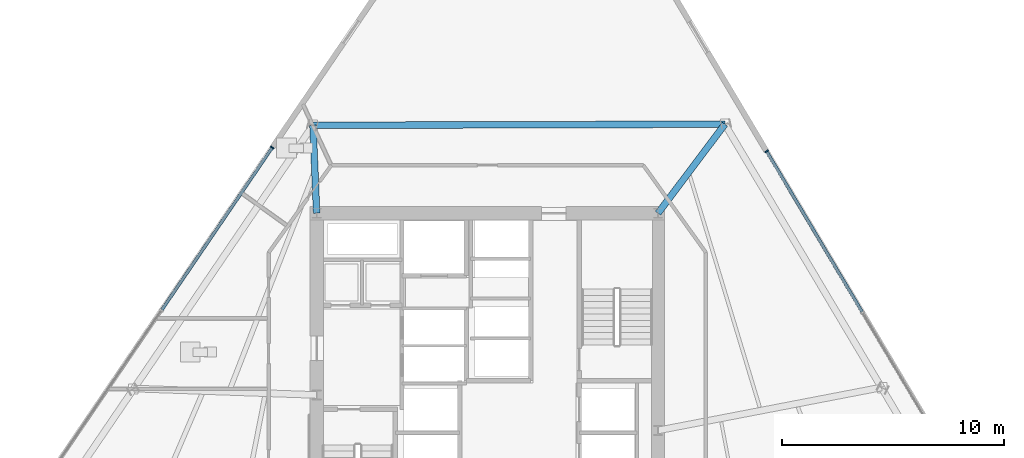
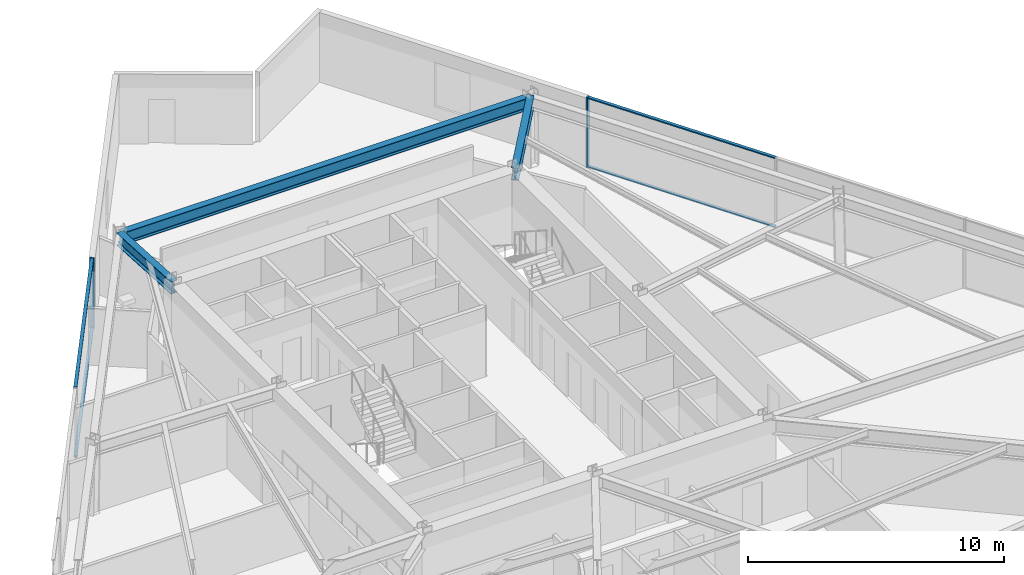
# One storey, part 7 of 18: 6 members, 3 beams, 2 elements without a shape of their own.
"""IFC4 building model written with IfcOpenShell, lengths in metres."""

from ifc_helpers import new_model, si_unit, direction, frame, origin, origin_2d, place, context, subcontext, project, spatial, rectangle, i_section, extrude, material, material_profile, profile_set, type_object, element, aggregate, save


model = new_model("IFC4")

# Units and contexts
model_context = context("Model", 3, precision=1e-05, world=origin(), true_north=direction((0.0, 1.0)))
body_context = subcontext(model_context, "Body", "Model", "MODEL_VIEW")
ifc_project = project(units=[si_unit("LENGTHUNIT", "METRE"), si_unit("AREAUNIT", "SQUARE_METRE"), si_unit("VOLUMEUNIT", "CUBIC_METRE"), si_unit("PLANEANGLEUNIT", "RADIAN"), si_unit("MASSUNIT", "GRAM", prefix="KILO")], contexts=[model_context])

# Site, building, storey
site_placement = place(None, origin())
site = spatial("IfcSite", under=ifc_project, at=site_placement, CompositionType="ELEMENT")
building_placement = place(site_placement, origin())
building = spatial("IfcBuilding", under=site, at=building_placement, Name="Savorim Split Tower", CompositionType="ELEMENT")
storey_placement = place(building_placement, frame((0.0, 0.0, 37.199951171875)))
storey = spatial("IfcBuildingStorey", under=building, at=storey_placement, Name="L09", CompositionType="ELEMENT", Elevation=37.199951171875)

# Beams
ifc_material_1 = material(Name="Steel S355", Category="steel")
ifc_material_profile_1 = material_profile(ifc_material_1, i_section(OverallWidth=0.300048828125, OverallDepth=0.60009765625, WebThickness=0.015380859375, FlangeThickness=0.030029296875, FilletRadius=0.027099609375, at=origin_2d()), Name="HEB 600")
ifc_profile_set_1 = profile_set([ifc_material_profile_1], Name="Steel S355")
beam_type_1 = type_object("IfcBeamType", Name="BM-PRI-HEB600", PredefinedType="BEAM", material=ifc_profile_set_1)
beam_1_placement = place(storey_placement, frame((10.716796875, 14.2138671875, 3.050048828125), z_axis=(-0.600816529324, -0.799386951414, 0.0), x_axis=(0.799386951414, -0.600816529324, 0.0)))
element("IfcBeam", 1, at=beam_1_placement, inside=storey, type_object=beam_type_1, Name="L09 Primary Floor Girder RG-07", PredefinedType="BEAM", context=body_context, shape_type="SweptSolid", body=[
    extrude(i_section(OverallWidth=0.300048828125, OverallDepth=0.60009765625, WebThickness=0.015380859375, FlangeThickness=0.030029296875, FilletRadius=0.027099609375, at=origin_2d()), origin(), (0.0, 0.0, 1.0), 5.021240234375),
])
beam_2_placement = place(storey_placement, frame((-7.8662109375, 14.1650390625, 3.050048828125), z_axis=(0.041894102617, -0.999122056691, 0.0), x_axis=(0.999122056691, 0.041894102617, 0.0)))
element("IfcBeam", 2, at=beam_2_placement, inside=storey, type_object=beam_type_1, Name="L09 Primary Floor Girder RG-08", PredefinedType="BEAM", context=body_context, shape_type="SweptSolid", body=[
    extrude(i_section(OverallWidth=0.300048828125, OverallDepth=0.60009765625, WebThickness=0.015380859375, FlangeThickness=0.030029296875, FilletRadius=0.027099609375, at=origin_2d()), origin(), (0.0, 0.0, 1.0), 3.968505859375),
])
ifc_material_profile_2 = material_profile(ifc_material_1, i_section(OverallWidth=0.300048828125, OverallDepth=0.590087890625, WebThickness=0.012939453125, FlangeThickness=0.02490234375, FilletRadius=0.027099609375, at=origin_2d()), Name="HEA 600")
ifc_profile_set_2 = profile_set([ifc_material_profile_2], Name="Steel S355")
beam_type_2 = type_object("IfcBeamType", Name="BM-SPN-HEA600", PredefinedType="SPANDREL", material=ifc_profile_set_2)
beam_3_placement = place(storey_placement, frame((10.716796875, 14.2138671875, 3.054931640625), z_axis=(-0.99999654796, -0.002627559378, 0.0), x_axis=(0.002627559378, -0.99999654796, 0.0)))
element("IfcBeam", 3, at=beam_3_placement, inside=storey, type_object=beam_type_2, Name="L09 Perimeter Spandrel Beam 7", PredefinedType="SPANDREL", context=body_context, shape_type="SweptSolid", body=[
    extrude(i_section(OverallWidth=0.300048828125, OverallDepth=0.590087890625, WebThickness=0.012939453125, FlangeThickness=0.02490234375, FilletRadius=0.027099609375, at=origin_2d()), origin(), (0.0, 0.0, 1.0), 18.5830078125),
])

# Curtain wall, member
ifc_material_2 = material(Name="Dark Ceramic-Fritted Insulated Glass", Category="glass")
curtain_wall_type = type_object("IfcCurtainWallType", Name="CW-TWR-FRIT-A", PredefinedType="NOTDEFINED", material=ifc_material_2)
curtain_wall_1_placement = place(storey_placement, origin())
curtain_wall_1 = element("IfcCurtainWall", 4, at=curtain_wall_1_placement, inside=storey, type_object=curtain_wall_type, Name="L09 Curtain Wall CW-L09-EAST", PredefinedType="NOTDEFINED")
ifc_material_3 = material(Name="Charcoal Anodised Aluminium", Category="aluminium")
ifc_material_profile_3 = material_profile(ifc_material_3, rectangle(XDim=0.179931640625, YDim=0.06494140625, at=origin_2d()), Name="ALU-M 180x65")
ifc_profile_set_3 = profile_set([ifc_material_profile_3], Name="Charcoal Anodised Aluminium")
member_type_1 = type_object("IfcMemberType", Name="CWM-180x65", PredefinedType="MULLION", material=ifc_profile_set_3)
member_1_placement = place(storey_placement, frame((12.599609375, 12.991455078125, 0.0), z_axis=(0.0, 0.0, 1.0), x_axis=(-0.859525752007, -0.511092439425, 0.0)))
member_1 = element("IfcMember", 5, at=member_1_placement, type_object=member_type_1, Name="CW-02 mullion 5", PredefinedType="MULLION", context=body_context, shape_type="SweptSolid", body=[
    extrude(rectangle(XDim=0.179931640625, YDim=0.06494140625, at=origin_2d()), origin(), (0.0, 0.0, 1.0), 3.35009765625),
])

curtain_wall_2_placement = place(storey_placement, origin())
curtain_wall_2 = element("IfcCurtainWall", 6, at=curtain_wall_2_placement, inside=storey, type_object=curtain_wall_type, Name="L09 Curtain Wall CW-L09-WEST", PredefinedType="NOTDEFINED")
member_2_placement = place(storey_placement, frame((-9.702392578125, 13.1640625, 0.0), z_axis=(0.0, 0.0, 1.0), x_axis=(0.826820923165, -0.562465253164, 0.0)))
member_2 = element("IfcMember", 7, at=member_2_placement, type_object=member_type_1, Name="CW-02 mullion 1", PredefinedType="MULLION", context=body_context, shape_type="SweptSolid", body=[
    extrude(rectangle(XDim=0.179931640625, YDim=0.06494140625, at=origin_2d()), origin(), (0.0, 0.0, 1.0), 3.35009765625),
])

# Member
ifc_material_profile_4 = material_profile(ifc_material_3, rectangle(XDim=0.139892578125, YDim=0.054931640625, at=origin_2d()), Name="ALU-T 140x55")
ifc_profile_set_4 = profile_set([ifc_material_profile_4], Name="Charcoal Anodised Aluminium")
member_type_2 = type_object("IfcMemberType", Name="CWT-140x55", PredefinedType="USERDEFINED", material=ifc_profile_set_4)
member_3_placement = place(storey_placement, frame((16.90673828125, 5.748046875, 0.027587890625), z_axis=(-0.511091652485, 0.859526219938, 0.0), x_axis=(-0.859526219938, -0.511091652485, 0.0)))
member_3 = element("IfcMember", 8, at=member_3_placement, type_object=member_type_2, Name="CW-02 transom 4.1", ObjectType="TRANSOM", PredefinedType="USERDEFINED", context=body_context, shape_type="SweptSolid", body=[
    extrude(rectangle(XDim=0.139892578125, YDim=0.054931640625, at=origin_2d()), origin(), (0.0, 0.0, 1.0), 8.394775390625),
])

member_4_placement = place(storey_placement, frame((16.90673828125, 5.748046875, 3.322509765625), z_axis=(-0.511091652485, 0.859526219938, 0.0), x_axis=(-0.859526219938, -0.511091652485, 0.0)))
member_4 = element("IfcMember", 9, at=member_4_placement, type_object=member_type_2, Name="CW-02 transom 4.2", ObjectType="TRANSOM", PredefinedType="USERDEFINED", context=body_context, shape_type="SweptSolid", body=[
    extrude(rectangle(XDim=0.139892578125, YDim=0.054931640625, at=origin_2d()), origin(), (0.0, 0.0, 1.0), 8.394775390625),
])

aggregate(curtain_wall_1, [member_1, member_3, member_4])

member_5_placement = place(storey_placement, frame((-9.720458984375, 13.13720703125, 0.027587890625), z_axis=(-0.562479559143, -0.82681119099, 0.0), x_axis=(0.82681119099, -0.562479559143, 0.0)))
member_5 = element("IfcMember", 10, at=member_5_placement, type_object=member_type_2, Name="CW-02 transom 1.1", ObjectType="TRANSOM", PredefinedType="USERDEFINED", context=body_context, shape_type="SweptSolid", body=[
    extrude(rectangle(XDim=0.139892578125, YDim=0.054931640625, at=origin_2d()), origin(), (0.0, 0.0, 1.0), 8.822265625),
])

member_6_placement = place(storey_placement, frame((-9.720458984375, 13.13720703125, 3.322509765625), z_axis=(-0.562479559143, -0.82681119099, 0.0), x_axis=(0.82681119099, -0.562479559143, 0.0)))
member_6 = element("IfcMember", 11, at=member_6_placement, type_object=member_type_2, Name="CW-02 transom 1.2", ObjectType="TRANSOM", PredefinedType="USERDEFINED", context=body_context, shape_type="SweptSolid", body=[
    extrude(rectangle(XDim=0.139892578125, YDim=0.054931640625, at=origin_2d()), origin(), (0.0, 0.0, 1.0), 8.822265625),
])

aggregate(curtain_wall_2, [member_2, member_5, member_6])

save(model, "model.ifc")
